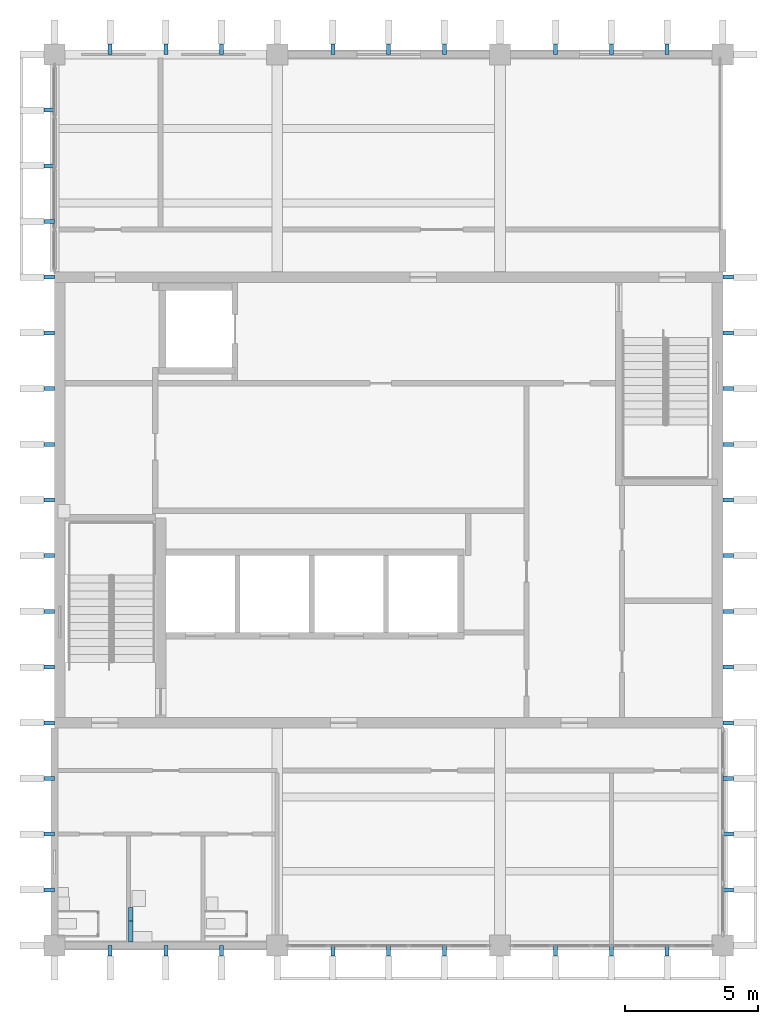
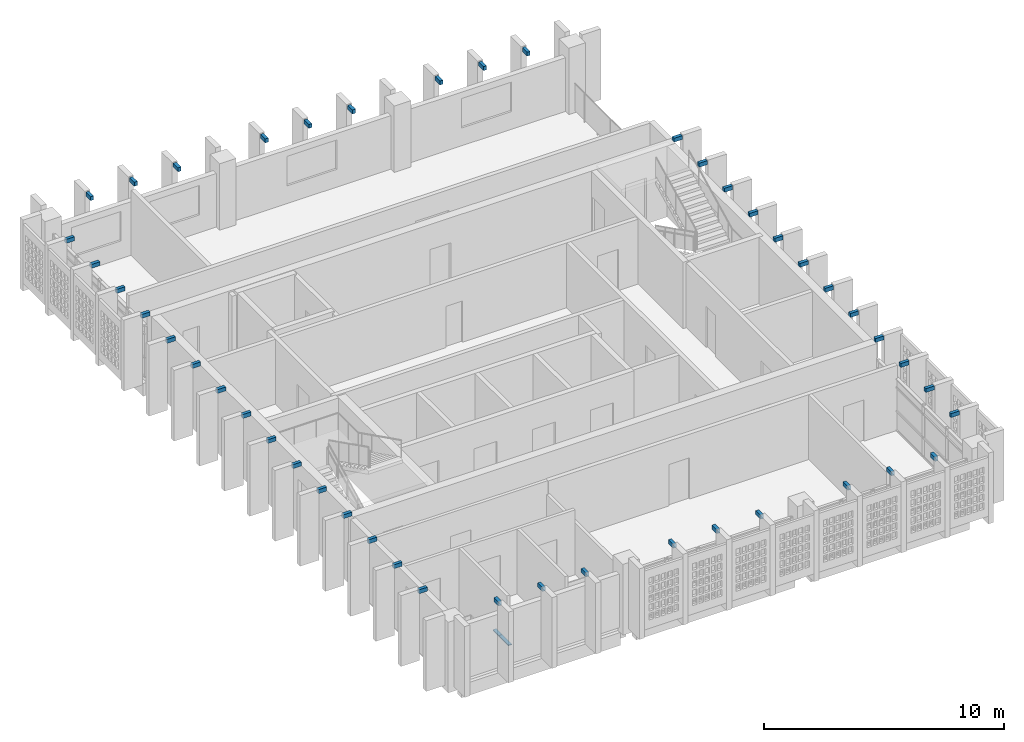
# One storey, part 7 of 13: 47 discrete accessories.
"""IFC4 building model written with IfcOpenShell, lengths in metres."""

from ifc_helpers import new_model, si_unit, direction, frame, origin, origin_2d, place, context, subcontext, project, spatial, rectangle, extrude, material, type_object, element, save


model = new_model("IFC4")

# Units and contexts
model_context = context("Model", 3, precision=1e-05, world=origin(), true_north=direction((0.0, 1.0)))
body_context = subcontext(model_context, "Body", "Model", "MODEL_VIEW")
ifc_project = project(units=[si_unit("LENGTHUNIT", "METRE"), si_unit("AREAUNIT", "SQUARE_METRE"), si_unit("VOLUMEUNIT", "CUBIC_METRE"), si_unit("PLANEANGLEUNIT", "RADIAN"), si_unit("MASSUNIT", "GRAM", prefix="KILO")], contexts=[model_context])

# Site, building, storey
site_placement = place(None, origin())
site = spatial("IfcSite", under=ifc_project, at=site_placement, CompositionType="ELEMENT")
building_placement = place(site_placement, origin())
building = spatial("IfcBuilding", under=site, at=building_placement, Name="Rulbaag Community and Learning Centre", CompositionType="ELEMENT")
storey_placement = place(building_placement, frame((0.0, 0.0, 39.60009765625)))
storey = spatial("IfcBuildingStorey", under=building, at=storey_placement, Name="L10", CompositionType="ELEMENT", Elevation=39.60009765625)

# Discrete accessories
ifc_material_1 = material(Name="Steel E350", Category="steel")
discrete_accessory_type_1 = type_object("IfcDiscreteAccessoryType", Name="BR-FN", PredefinedType="BRACKET", material=ifc_material_1)
for number, where, z_axis, x_axis, name in (
    (1, (144.89990234375, 83.800048828125, 3.35009765625), (0.0, 0.0, 1.0), (1.0, 0.0, 0.0), "Fin arm"),
    (2, (147.0, 83.800048828125, 3.35009765625), (0.0, 0.0, 1.0), (1.0, 0.0, 0.0), "Fin arm"),
    (3, (149.10009765625, 83.800048828125, 3.35009765625), (0.0, 0.0, 1.0), (1.0, 0.0, 0.0), "Fin arm"),
    (4, (153.300048828125, 83.800048828125, 3.35009765625), (0.0, 0.0, 1.0), (1.0, 0.0, 0.0), "Fin arm"),
    (5, (155.39990234375, 83.800048828125, 3.35009765625), (0.0, 0.0, 1.0), (1.0, 0.0, 0.0), "Fin arm"),
    (6, (157.5, 83.800048828125, 3.35009765625), (0.0, 0.0, 1.0), (1.0, 0.0, 0.0), "Fin arm"),
    (7, (161.699951171875, 83.800048828125, 3.35009765625), (0.0, 0.0, 1.0), (1.0, 0.0, 0.0), "Fin arm"),
    (8, (163.800048828125, 83.800048828125, 3.35009765625), (0.0, 0.0, 1.0), (1.0, 0.0, 0.0), "Fin arm"),
    (9, (165.89990234375, 83.800048828125, 3.35009765625), (0.0, 0.0, 1.0), (1.0, 0.0, 0.0), "Fin arm"),
    (10, (144.89990234375, 117.800048828125, 3.35009765625), (0.0, 0.0, 1.0), (1.0, 0.0, 0.0), "Fin arm"),
    (11, (147.0, 117.800048828125, 3.35009765625), (0.0, 0.0, 1.0), (1.0, 0.0, 0.0), "Fin arm"),
    (12, (149.10009765625, 117.800048828125, 3.35009765625), (0.0, 0.0, 1.0), (1.0, 0.0, 0.0), "Fin arm"),
    (13, (153.300048828125, 117.800048828125, 3.35009765625), (0.0, 0.0, 1.0), (1.0, 0.0, 0.0), "Fin arm"),
    (14, (155.39990234375, 117.800048828125, 3.35009765625), (0.0, 0.0, 1.0), (1.0, 0.0, 0.0), "Fin arm"),
    (15, (157.5, 117.800048828125, 3.35009765625), (0.0, 0.0, 1.0), (1.0, 0.0, 0.0), "Fin arm"),
    (16, (161.699951171875, 117.800048828125, 3.35009765625), (0.0, 0.0, 1.0), (1.0, 0.0, 0.0), "Fin arm"),
    (17, (163.800048828125, 117.800048828125, 3.35009765625), (0.0, 0.0, 1.0), (1.0, 0.0, 0.0), "Fin arm"),
    (18, (165.89990234375, 117.800048828125, 3.35009765625), (0.0, 0.0, 1.0), (1.0, 0.0, 0.0), "Fin arm"),
):
    element("IfcDiscreteAccessory", number, at=place(storey_placement, frame(where, z_axis=z_axis, x_axis=x_axis)), inside=storey, type_object=discrete_accessory_type_1, Name=name, PredefinedType="BRACKET", context=body_context, shape_type="SweptSolid", body=[
        extrude(rectangle(XDim=0.14990234375, YDim=0.39990234375, at=origin_2d()), origin(), (0.0, 0.0, 1.0), 0.199951171875),
    ])
for number, where, z_axis, x_axis, name in (
    (19, (142.60009765625, 86.10009765625, 3.35009765625), (0.0, 0.0, 1.0), (1.0, 0.0, 0.0), "Fin arm"),
    (20, (142.60009765625, 88.199951171875, 3.35009765625), (0.0, 0.0, 1.0), (1.0, 0.0, 0.0), "Fin arm"),
    (21, (142.60009765625, 90.300048828125, 3.35009765625), (0.0, 0.0, 1.0), (1.0, 0.0, 0.0), "Fin arm"),
    (22, (142.60009765625, 92.39990234375, 3.35009765625), (0.0, 0.0, 1.0), (1.0, 0.0, 0.0), "Fin arm"),
    (23, (142.60009765625, 94.5, 3.35009765625), (0.0, 0.0, 1.0), (1.0, 0.0, 0.0), "Fin arm"),
    (24, (142.60009765625, 96.60009765625, 3.35009765625), (0.0, 0.0, 1.0), (1.0, 0.0, 0.0), "Fin arm"),
    (25, (142.60009765625, 98.699951171875, 3.35009765625), (0.0, 0.0, 1.0), (1.0, 0.0, 0.0), "Fin arm"),
    (26, (142.60009765625, 100.800048828125, 3.35009765625), (0.0, 0.0, 1.0), (1.0, 0.0, 0.0), "Fin arm"),
    (27, (142.60009765625, 102.89990234375, 3.35009765625), (0.0, 0.0, 1.0), (1.0, 0.0, 0.0), "Fin arm"),
    (28, (142.60009765625, 105.0, 3.35009765625), (0.0, 0.0, 1.0), (1.0, 0.0, 0.0), "Fin arm"),
    (29, (142.60009765625, 107.10009765625, 3.35009765625), (0.0, 0.0, 1.0), (1.0, 0.0, 0.0), "Fin arm"),
    (30, (142.60009765625, 109.199951171875, 3.35009765625), (0.0, 0.0, 1.0), (1.0, 0.0, 0.0), "Fin arm"),
    (31, (142.60009765625, 111.300048828125, 3.35009765625), (0.0, 0.0, 1.0), (1.0, 0.0, 0.0), "Fin arm"),
    (32, (142.60009765625, 113.39990234375, 3.35009765625), (0.0, 0.0, 1.0), (1.0, 0.0, 0.0), "Fin arm"),
    (33, (142.60009765625, 115.5, 3.35009765625), (0.0, 0.0, 1.0), (1.0, 0.0, 0.0), "Fin arm"),
    (34, (168.199951171875, 86.10009765625, 3.35009765625), (0.0, 0.0, 1.0), (1.0, 0.0, 0.0), "Fin arm"),
    (35, (168.199951171875, 88.199951171875, 3.35009765625), (0.0, 0.0, 1.0), (1.0, 0.0, 0.0), "Fin arm"),
    (36, (168.199951171875, 90.300048828125, 3.35009765625), (0.0, 0.0, 1.0), (1.0, 0.0, 0.0), "Fin arm"),
    (37, (168.199951171875, 92.39990234375, 3.35009765625), (0.0, 0.0, 1.0), (1.0, 0.0, 0.0), "Fin arm"),
    (38, (168.199951171875, 94.5, 3.35009765625), (0.0, 0.0, 1.0), (1.0, 0.0, 0.0), "Fin arm"),
    (39, (168.199951171875, 96.60009765625, 3.35009765625), (0.0, 0.0, 1.0), (1.0, 0.0, 0.0), "Fin arm"),
    (40, (168.199951171875, 98.699951171875, 3.35009765625), (0.0, 0.0, 1.0), (1.0, 0.0, 0.0), "Fin arm"),
    (41, (168.199951171875, 100.800048828125, 3.35009765625), (0.0, 0.0, 1.0), (1.0, 0.0, 0.0), "Fin arm"),
    (42, (168.199951171875, 102.89990234375, 3.35009765625), (0.0, 0.0, 1.0), (1.0, 0.0, 0.0), "Fin arm"),
    (43, (168.199951171875, 105.0, 3.35009765625), (0.0, 0.0, 1.0), (1.0, 0.0, 0.0), "Fin arm"),
    (44, (168.199951171875, 107.10009765625, 3.35009765625), (0.0, 0.0, 1.0), (1.0, 0.0, 0.0), "Fin arm"),
    (45, (168.199951171875, 109.199951171875, 3.35009765625), (0.0, 0.0, 1.0), (1.0, 0.0, 0.0), "Fin arm"),
):
    element("IfcDiscreteAccessory", number, at=place(storey_placement, frame(where, z_axis=z_axis, x_axis=x_axis)), inside=storey, type_object=discrete_accessory_type_1, Name=name, PredefinedType="BRACKET", context=body_context, shape_type="SweptSolid", body=[
        extrude(rectangle(XDim=0.39990234375, YDim=0.14990234375, at=origin_2d()), origin(), (0.0, 0.0, 1.0), 0.199951171875),
    ])
ifc_material_2 = material(Name="Stainless steel grade 316", Category="steel")
discrete_accessory_type_2 = type_object("IfcDiscreteAccessoryType", Name="GR-800", PredefinedType="USERDEFINED", material=ifc_material_2)
for number, where, z_axis, x_axis, name in (
    (46, (145.68505859375, 84.530029296875, 0.72998046875), (0.0, 0.0, 1.0), (1.0, 0.0, 0.0), "Grab rail"),
    (47, (145.68505859375, 85.030029296875, 0.72998046875), (0.0, 0.0, 1.0), (1.0, 0.0, 0.0), "Grab rail"),
):
    element("IfcDiscreteAccessory", number, at=place(storey_placement, frame(where, z_axis=z_axis, x_axis=x_axis)), inside=storey, type_object=discrete_accessory_type_2, Name=name, ObjectType="GRAB RAIL", PredefinedType="USERDEFINED", context=body_context, shape_type="SweptSolid", body=[
        extrude(rectangle(XDim=0.169921875, YDim=0.800048828125, at=origin_2d()), origin(), (0.0, 0.0, 1.0), 0.0400390625),
    ])

save(model, "model.ifc")
